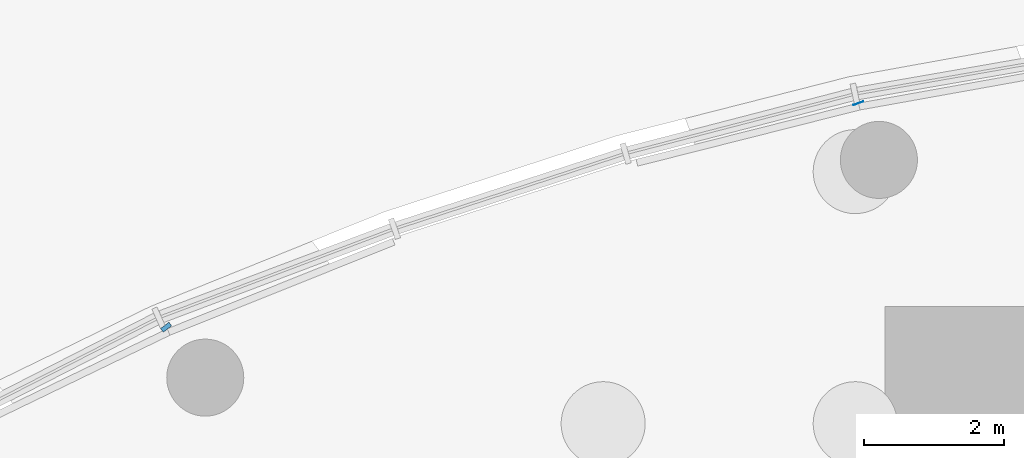
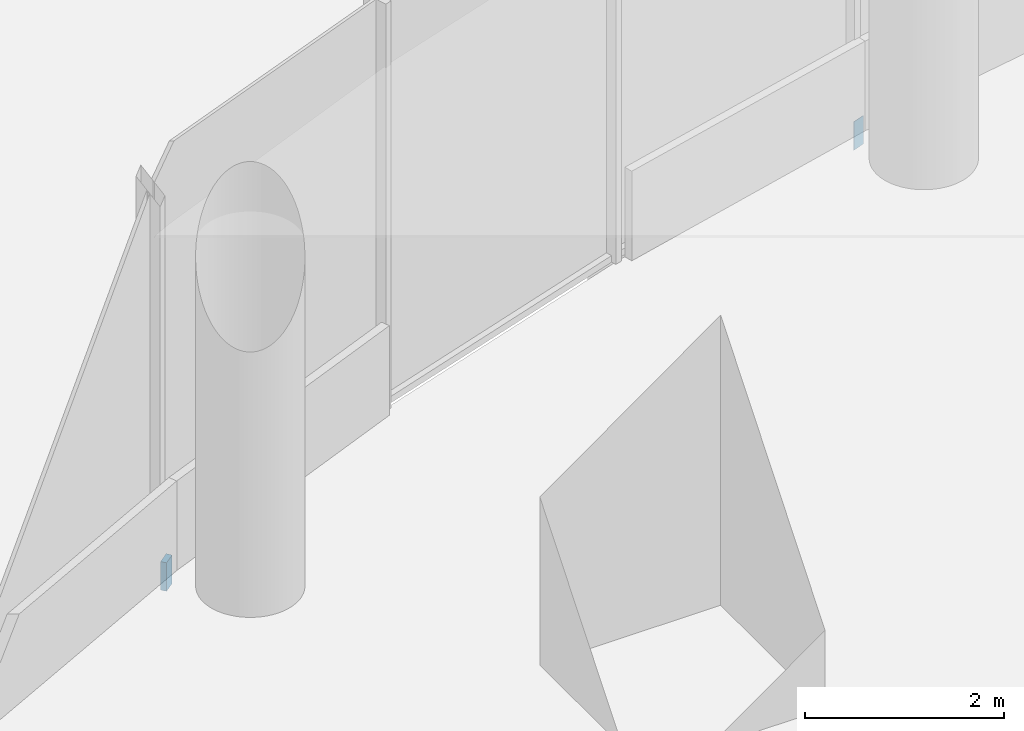
# One storey, part 20 of 29: 2 discrete accessories.
"""IFC4 building model written with IfcOpenShell, lengths in metres."""

from ifc_helpers import new_model, si_unit, direction, frame, origin, origin_2d, place, context, subcontext, project, spatial, rectangle, extrude, material, type_object, element, save


model = new_model("IFC4")

# Units and contexts
model_context = context("Model", 3, precision=1e-05, world=origin(), true_north=direction((0.0, 1.0)))
body_context = subcontext(model_context, "Body", "Model", "MODEL_VIEW")
ifc_project = project(units=[si_unit("LENGTHUNIT", "METRE"), si_unit("AREAUNIT", "SQUARE_METRE"), si_unit("VOLUMEUNIT", "CUBIC_METRE"), si_unit("PLANEANGLEUNIT", "RADIAN"), si_unit("MASSUNIT", "GRAM", prefix="KILO")], contexts=[model_context])

# Site, building, storey
site_placement = place(None, origin())
site = spatial("IfcSite", under=ifc_project, at=site_placement, CompositionType="ELEMENT")
building_placement = place(site_placement, origin())
building = spatial("IfcBuilding", under=site, at=building_placement, Name="Ghaith Harvest Tower", CompositionType="ELEMENT")
storey_placement = place(building_placement, origin())
storey = spatial("IfcBuildingStorey", under=building, at=storey_placement, Name="L00", CompositionType="ELEMENT", Elevation=0.0)

# Discrete accessories
ifc_material_1 = material(Name="Stainless steel grade 1.4401", Category="steel")
discrete_accessory_type_1 = type_object("IfcDiscreteAccessoryType", Name="CURTAIN WALL BRACKET 5", PredefinedType="BRACKET", material=ifc_material_1)
discrete_accessory_1_placement = place(storey_placement, frame((-10.75439453125, 29.775634765625, -0.25), z_axis=(0.0, 0.0, 1.0), x_axis=(-0.339699453402, 0.94053404051, 0.0)))
element("IfcDiscreteAccessory", 1, at=discrete_accessory_1_placement, inside=storey, type_object=discrete_accessory_type_1, Name="CW-P bracket 1 bay 07 L00", PredefinedType="BRACKET", context=body_context, shape_type="SweptSolid", body=[
    extrude(rectangle(XDim=0.0048828125, YDim=0.14990234375, at=origin_2d()), origin(), (0.0, 0.0, 1.0), 0.35009765625),
])
ifc_material_2 = material(Name="Stainless steel grade 1.4401", Category="steel")
discrete_accessory_type_2 = type_object("IfcDiscreteAccessoryType", Name="CURTAIN WALL BRACKET 65", PredefinedType="BRACKET", material=ifc_material_2)
discrete_accessory_2_placement = place(storey_placement, frame((-20.64111328125, 26.577880859375, -0.25), z_axis=(0.0, 0.0, 1.0), x_axis=(-0.613377714422, 0.78978970584, 0.0)))
element("IfcDiscreteAccessory", 2, at=discrete_accessory_2_placement, inside=storey, type_object=discrete_accessory_type_2, Name="CW-P bracket 1 bay 08 L00", PredefinedType="BRACKET", context=body_context, shape_type="SweptSolid", body=[
    extrude(rectangle(XDim=0.06494140625, YDim=0.14990234375, at=origin_2d()), origin(), (0.0, 0.0, 1.0), 0.35009765625),
])

save(model, "model.ifc")
